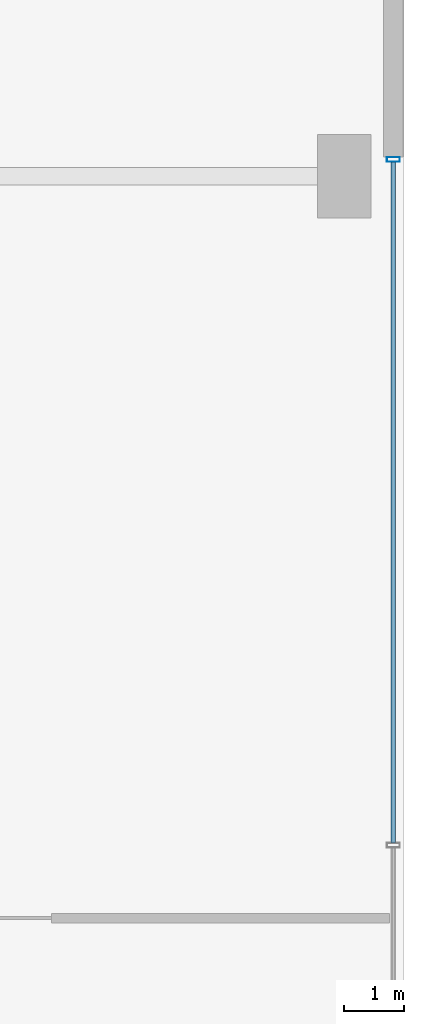
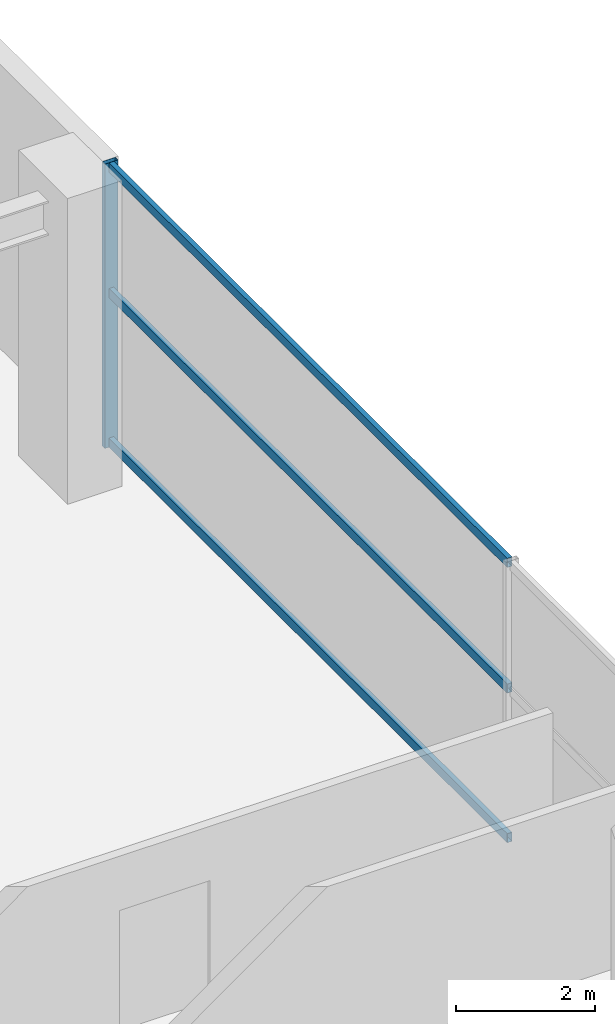
# One storey, part 25 of 35: 4 members, 1 element without a shape of its own.
"""IFC4 building model written with IfcOpenShell, lengths in metres."""

from ifc_helpers import new_model, si_unit, direction, frame, origin, origin_2d, place, context, subcontext, project, spatial, hollow_rectangle, extrude, source, transform, mapped, material, material_profile, profile_set, type_object, element, aggregate, save


model = new_model("IFC4")

# Units and contexts
model_context = context("Model", 3, precision=1e-05, world=origin(), true_north=direction((0.0, 1.0)))
body_context = subcontext(model_context, "Body", "Model", "MODEL_VIEW")
ifc_project = project(units=[si_unit("LENGTHUNIT", "METRE"), si_unit("AREAUNIT", "SQUARE_METRE"), si_unit("VOLUMEUNIT", "CUBIC_METRE"), si_unit("PLANEANGLEUNIT", "RADIAN"), si_unit("MASSUNIT", "GRAM", prefix="KILO")], contexts=[model_context])

# Site, building, storey
site_placement = place(None, origin())
site = spatial("IfcSite", under=ifc_project, at=site_placement, CompositionType="ELEMENT")
building_placement = place(site_placement, origin())
building = spatial("IfcBuilding", under=site, at=building_placement, Name="Nahalor Promenade Grand Hotel", CompositionType="ELEMENT")
storey_placement = place(building_placement, frame((0.0, 0.0, 21.60009765625)))
storey = spatial("IfcBuildingStorey", under=building, at=storey_placement, Name="L04", CompositionType="ELEMENT", Elevation=21.60009765625)

# Curtain wall, members
ifc_material = material(Name="Anodised Bronze Aluminium EN AW-6063 T6", Category="aluminium")
curtain_wall_type = type_object("IfcCurtainWallType", Name="CW1 Waterfront Podium Bronze Arcade Curtain Wall", PredefinedType="USERDEFINED", material=ifc_material)
curtain_wall_placement = place(storey_placement, origin())
curtain_wall = element("IfcCurtainWall", 1, at=curtain_wall_placement, inside=storey, type_object=curtain_wall_type, Name="L04 Curtain Wall CW-L04-E", ObjectType="UNITISED_CURTAIN_WALL", PredefinedType="USERDEFINED")
ifc_material_profile_1 = material_profile(ifc_material, hollow_rectangle(XDim=0.08, YDim=0.22, WallThickness=0.005, at=origin_2d()), Name="CWM 80x220x5")
ifc_profile_set_1 = profile_set([ifc_material_profile_1], Name="Anodised Bronze Aluminium EN AW-6063 T6")
member_type_1 = type_object("IfcMemberType", Name="CWM1 Podium Bronze Mullion 80x220", PredefinedType="MULLION", material=ifc_profile_set_1)
shared_shape_1 = source(origin(), body_context, "Body", "SweptSolid", [
    extrude(hollow_rectangle(XDim=0.08, YDim=0.22, WallThickness=0.005, at=origin_2d()), origin(), (0.0, 0.0, 1.0), 4.97998046875),
])
member_1_placement = place(storey_placement, frame((33.820068359375, 17.280029296875, 0.0), z_axis=(0.0, 0.0, 1.0), x_axis=(0.0, 1.0, 0.0)))
member_1 = element("IfcMember", 2, at=member_1_placement, type_object=member_type_1, Name="CW-L04-E Mullion 3", PredefinedType="MULLION", context=body_context, shape_type="MappedRepresentation", body=[
    mapped(shared_shape_1, transform((0.0, 0.0, 0.0), scale=1.0)),
])
ifc_material_profile_2 = material_profile(ifc_material, hollow_rectangle(XDim=0.08, YDim=0.16, WallThickness=0.004, at=origin_2d()), Name="CWT 80x160x4")
ifc_profile_set_2 = profile_set([ifc_material_profile_2], Name="Anodised Bronze Aluminium EN AW-6063 T6")
member_type_2 = type_object("IfcMemberType", Name="CWT1 Podium Bronze Transom 80x160", PredefinedType="USERDEFINED", material=ifc_profile_set_2)
shared_shape_2 = source(origin(), body_context, "Body", "SweptSolid", [
    extrude(hollow_rectangle(XDim=0.08, YDim=0.16, WallThickness=0.004, at=origin_2d()), origin(), (0.0, 0.0, 1.0), 11.4267578125),
])
member_2_placement = place(storey_placement, frame((33.820068359375, 5.813232421875, 0.079833984375), z_axis=(0.0, 1.0, 0.0), x_axis=(-1.0, 0.0, 0.0)))
member_2 = element("IfcMember", 3, at=member_2_placement, type_object=member_type_2, Name="CW-L04-E Transom 2-0", ObjectType="TRANSOM", PredefinedType="USERDEFINED", context=body_context, shape_type="MappedRepresentation", body=[
    mapped(shared_shape_2, transform((0.0, 0.0, 0.0), scale=1.0)),
])
member_3_placement = place(storey_placement, frame((33.820068359375, 5.813232421875, 2.699951171875), z_axis=(0.0, 1.0, 0.0), x_axis=(-1.0, 0.0, 0.0)))
member_3 = element("IfcMember", 4, at=member_3_placement, type_object=member_type_2, Name="CW-L04-E Transom 2-1", ObjectType="TRANSOM", PredefinedType="USERDEFINED", context=body_context, shape_type="MappedRepresentation", body=[
    mapped(shared_shape_2, transform((0.0, 0.0, 0.0), scale=1.0)),
])
member_4_placement = place(storey_placement, frame((33.820068359375, 5.813232421875, 4.89990234375), z_axis=(0.0, 1.0, 0.0), x_axis=(-1.0, 0.0, 0.0)))
member_4 = element("IfcMember", 5, at=member_4_placement, type_object=member_type_2, Name="CW-L04-E Transom 2-2", ObjectType="TRANSOM", PredefinedType="USERDEFINED", context=body_context, shape_type="MappedRepresentation", body=[
    mapped(shared_shape_2, transform((0.0, 0.0, 0.0), scale=1.0)),
])
aggregate(curtain_wall, [member_1, member_2, member_3, member_4])

save(model, "model.ifc")
